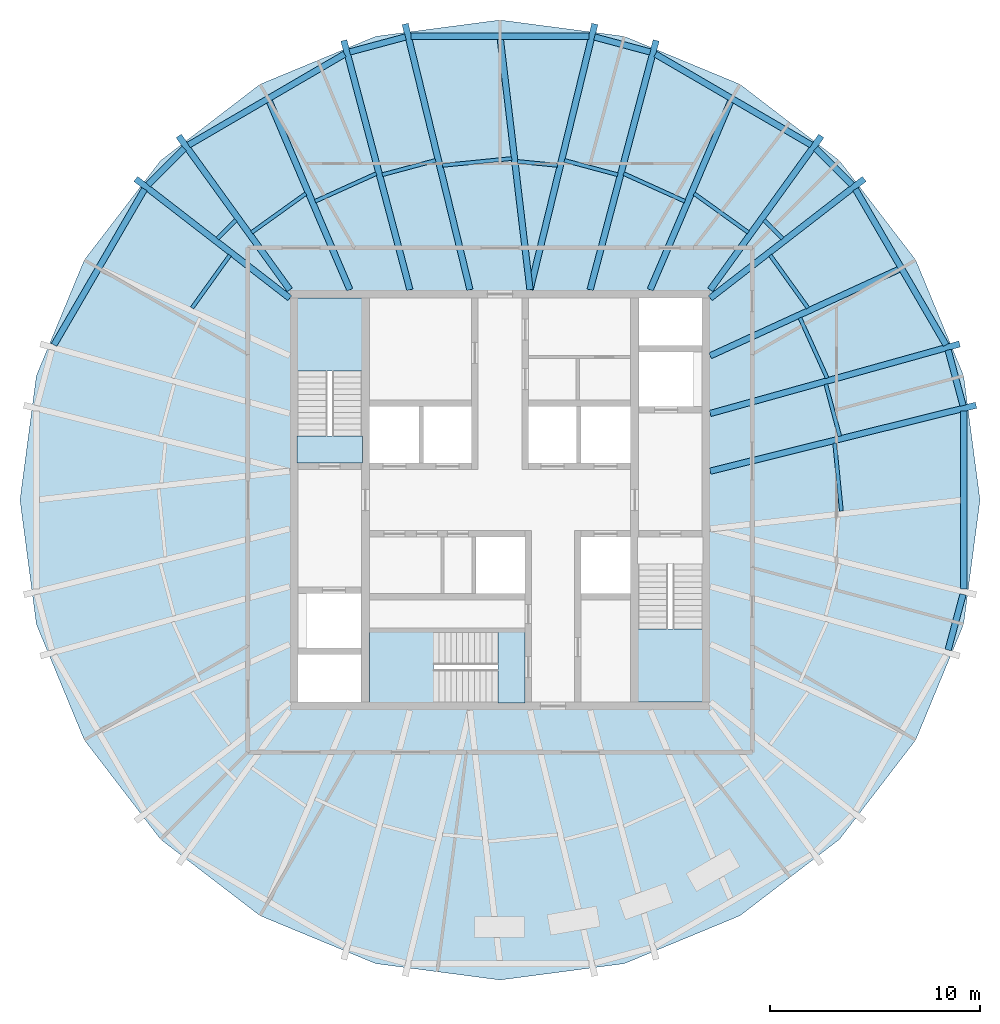
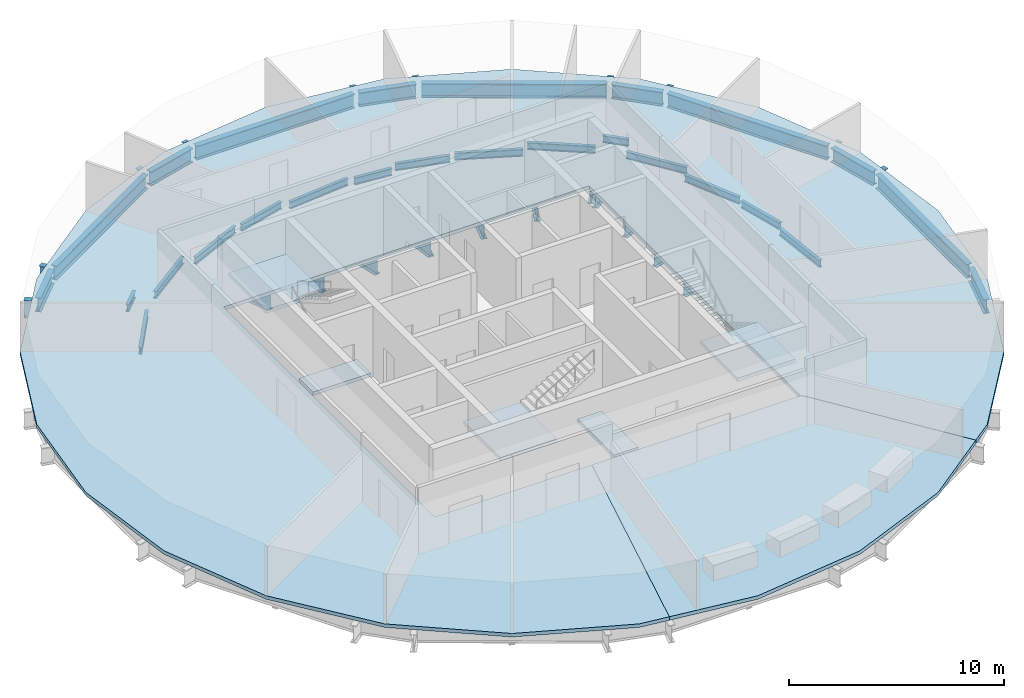
# One storey, part 2 of 7: 41 beams, 7 slabs, 3 elements without a shape of their own.
"""IFC4 building model written with IfcOpenShell, lengths in metres."""

import ifcopenshell
import ifcopenshell.guid

model = None  # the IFC model being written
_history = None  # IfcOwnerHistory: only IFC2X3 demands one
_inside = {}  # id of a spatial element -> (the spatial element, [elements in it])
_under = {}  # id of a project, library or spatial element -> (it, [spatial elements below it])
_declared = {}  # id of a project -> (the project, [libraries it declares])
_typed = {}  # id of a type object -> (the type object, [elements of that type])
_made_of = {}  # id of a material, layer set ... -> (it, [elements and type objects made of it])


def new_model(schema):
    """Start an empty IFC model of exactly this schema.

    Asked for "IFC4X3", IfcOpenShell would pick the latest addendum, in which some entities
    have other attributes; the version numbers below select the first issue.
    IFC2X3 requires an IfcOwnerHistory on every rooted entity: one is made here for all.
    """
    global model, _history
    if schema == "IFC4X3":
        model = ifcopenshell.file(schema_version=(4, 3, 0, 0))
    else:
        model = ifcopenshell.file(schema=schema)
    _inside.clear()
    _under.clear()
    _declared.clear()
    _typed.clear()
    _made_of.clear()
    _history = None
    if model.schema == "IFC2X3":
        org = make("IfcOrganization", Name="unknown")
        user = make(
            "IfcPersonAndOrganization",
            ThePerson=make("IfcPerson", FamilyName="unknown"),
            TheOrganization=org,
        )
        app = make(
            "IfcApplication",
            ApplicationDeveloper=org,
            Version="unknown",
            ApplicationFullName="unknown",
            ApplicationIdentifier="unknown",
        )
        _history = make(
            "IfcOwnerHistory",
            OwningUser=user,
            OwningApplication=app,
            ChangeAction="ADDED",
            CreationDate=0,
        )
    return model


def make(cls, **values):
    """One entity of the class cls with the attributes given. An attribute that is None is left unset."""
    return model.create_entity(
        cls, **{name: value for name, value in values.items() if value is not None}
    )


def rooted(cls, **values):
    """An entity with a GlobalId (a new one), such as an element, a storey or a relation."""
    return make(cls, GlobalId=ifcopenshell.guid.new(), OwnerHistory=_history, **values)


def si_unit(unit_type, name, prefix=None):
    """IfcSIUnit, for example si_unit("LENGTHUNIT", "METRE", prefix="MILLI")."""
    return make("IfcSIUnit", UnitType=unit_type, Prefix=prefix, Name=name)


def assignment(units):
    """IfcUnitAssignment: the units of a project."""
    return None if units is None else make("IfcUnitAssignment", Units=units)


def point(xyz):
    """IfcCartesianPoint."""
    return None if xyz is None else make("IfcCartesianPoint", Coordinates=xyz)


def direction(xyz):
    """IfcDirection."""
    return None if xyz is None else make("IfcDirection", DirectionRatios=xyz)


def frame(location, z_axis=None, x_axis=None):
    """IfcAxis2Placement3D, a coordinate frame: its origin and axes. An axis left out is left unset."""
    return make(
        "IfcAxis2Placement3D",
        Location=point(location),
        Axis=direction(z_axis),
        RefDirection=direction(x_axis),
    )


def frame_2d(location, x_axis=None):
    """IfcAxis2Placement2D, a coordinate frame in the plane: its origin and x axis."""
    return make(
        "IfcAxis2Placement2D", Location=point(location), RefDirection=direction(x_axis)
    )


def origin():
    """The frame at (0, 0, 0) with its axes left unset."""
    return frame((0.0, 0.0, 0.0))


def origin_2d():
    """The frame at (0, 0) in the plane with its x axis left unset."""
    return frame_2d((0.0, 0.0))


def place(relative_to, where):
    """IfcLocalPlacement: puts the frame where relative to a parent placement (None: the world)."""
    return make(
        "IfcLocalPlacement", PlacementRelTo=relative_to, RelativePlacement=where
    )


def context(
    kind, dimensions, precision=None, world=None, true_north=None, identifier=None
):
    """IfcGeometricRepresentationContext, for example the 3D "Model" context."""
    return make(
        "IfcGeometricRepresentationContext",
        ContextIdentifier=identifier,
        ContextType=kind,
        CoordinateSpaceDimension=dimensions,
        Precision=precision,
        WorldCoordinateSystem=world,
        TrueNorth=true_north,
    )


def subcontext(parent, identifier, kind, view, scale=None):
    """IfcGeometricRepresentationSubContext, for example "Body" below "Model"."""
    return make(
        "IfcGeometricRepresentationSubContext",
        ContextIdentifier=identifier,
        ContextType=kind,
        ParentContext=parent,
        TargetScale=scale,
        TargetView=view,
    )


def project(units=None, contexts=None):
    """IfcProject with its units and contexts."""
    return rooted(
        "IfcProject",
        Name="project",
        RepresentationContexts=contexts,
        UnitsInContext=assignment(units),
    )


def spatial(cls, under=None, at=None, **own):
    """A site, building, storey or space (cls), placed at a placement, below another one or the project."""
    s = rooted(cls, ObjectPlacement=at, **own)
    if under is not None:
        _under.setdefault(under.id(), (under, []))[1].append(s)
    return s


def polyline(points):
    """IfcPolyline through the points."""
    return make("IfcPolyline", Points=[point(p) for p in points])


def profile(cls, at=None, kind="AREA", **sizes):
    """A parametric profile (cls). Its sizes go by their IFC names, for example OverallWidth=200.0."""
    return make(cls, ProfileType=kind, Position=at, **sizes)


def i_section(**sizes):
    """IfcIShapeProfileDef."""
    return profile("IfcIShapeProfileDef", **sizes)


def outline(outer, holes=None, kind="AREA"):
    """IfcArbitraryClosedProfileDef: a profile drawn as a closed curve; with holes, ...WithVoids."""
    if holes is None:
        return make("IfcArbitraryClosedProfileDef", ProfileType=kind, OuterCurve=outer)
    return make(
        "IfcArbitraryProfileDefWithVoids",
        ProfileType=kind,
        OuterCurve=outer,
        InnerCurves=holes,
    )


def extrude(swept, where, along, depth):
    """IfcExtrudedAreaSolid: the profile swept, set in the frame where, extruded along a direction by depth."""
    return make(
        "IfcExtrudedAreaSolid",
        SweptArea=swept,
        Position=where,
        ExtrudedDirection=direction(along),
        Depth=depth,
    )


def shape(context_of_items, identifier, shape_type, items):
    """IfcShapeRepresentation: the items that make up one representation, for example the "Body"."""
    return make(
        "IfcShapeRepresentation",
        ContextOfItems=context_of_items,
        RepresentationIdentifier=identifier,
        RepresentationType=shape_type,
        Items=items,
    )


def material(Name=None, Category=None):
    """IfcMaterial."""
    return make("IfcMaterial", Name=Name, Category=Category)


def layer(
    of_material, thickness, ventilated=None, Name=None, Category=None, Priority=None
):
    """IfcMaterialLayer: one layer of a wall or slab, of a material (None: an air gap)."""
    return make(
        "IfcMaterialLayer",
        Material=of_material,
        LayerThickness=thickness,
        IsVentilated=ventilated,
        Name=Name,
        Category=Category,
        Priority=Priority,
    )


def layer_set(layers, Name=None):
    """IfcMaterialLayerSet."""
    return make("IfcMaterialLayerSet", MaterialLayers=layers, LayerSetName=Name)


def material_profile(
    of_material, cross_section, Name=None, Category=None, Priority=None
):
    """IfcMaterialProfile: a cross section and its material."""
    return make(
        "IfcMaterialProfile",
        Name=Name,
        Material=of_material,
        Profile=cross_section,
        Priority=Priority,
        Category=Category,
    )


def profile_set(profiles, Name=None, composite=None):
    """IfcMaterialProfileSet."""
    return make(
        "IfcMaterialProfileSet",
        Name=Name,
        MaterialProfiles=profiles,
        CompositeProfile=composite,
    )


def made_of(thing, what):
    """Note that an element or type object is made of a material, layer set ...; save() writes the relation."""
    if what is not None:
        _made_of.setdefault(what.id(), (what, []))[1].append(thing)
    return thing


def type_object(cls, material=None, **own):
    """A type object (cls), such as IfcWallType, which elements share."""
    return made_of(rooted(cls, **own), material)


def element(
    cls,
    number,
    at=None,
    inside=None,
    cuts=None,
    type_object=None,
    material=None,
    context=None,
    identifier="Body",
    shape_type=None,
    held_by="IfcProductDefinitionShape",
    body=None,
    shapes=None,
    **own,
):
    """One element of the class cls, such as IfcWall. Its Tag is "e" and its number.

    at: its placement. inside: the storey or other place that contains it. cuts: it is an
    opening in that element (IfcRelVoidsElement). A single representation is given by context,
    identifier, shape_type and body (its items); several are given by shapes. held_by: the class
    of the entity that holds the representations. save() writes the other relations.
    """
    e = rooted(cls, Tag="e%d" % number, ObjectPlacement=at, **own)
    if body is not None:
        shapes = [shape(context, identifier, shape_type, body)]
    if shapes is not None:
        e.Representation = make(held_by, Representations=shapes)
    if inside is not None:
        _inside.setdefault(inside.id(), (inside, []))[1].append(e)
    if cuts is not None:
        rooted(
            "IfcRelVoidsElement", RelatingBuildingElement=cuts, RelatedOpeningElement=e
        )
    if type_object is not None:
        _typed.setdefault(type_object.id(), (type_object, []))[1].append(e)
    return made_of(e, material)


def aggregate(whole, parts):
    """IfcRelAggregates: a whole, such as a stair, and the parts it consists of."""
    return rooted("IfcRelAggregates", RelatingObject=whole, RelatedObjects=parts)


def save(model, path):
    """Write the relations noted so far, then the file.

    IfcRelAggregates (storeys below a building ...), IfcRelContainedInSpatialStructure (elements
    in a storey), IfcRelDefinesByType, IfcRelAssociatesMaterial and IfcRelDeclares: one each for
    every whole, place, type object, material and project.
    """
    for whole, parts in _under.values():
        aggregate(whole, parts)
    for where, things in _inside.values():
        rooted(
            "IfcRelContainedInSpatialStructure",
            RelatedElements=things,
            RelatingStructure=where,
        )
    for kind, things in _typed.values():
        rooted("IfcRelDefinesByType", RelatedObjects=things, RelatingType=kind)
    for what, things in _made_of.values():
        rooted("IfcRelAssociatesMaterial", RelatedObjects=things, RelatingMaterial=what)
    for by, libraries in _declared.values():
        rooted("IfcRelDeclares", RelatingContext=by, RelatedDefinitions=libraries)
    model.write(path)


model = new_model("IFC4")

# Units and contexts
model_context = context("Model", 3, precision=1e-05, world=origin(), true_north=direction((0.0, 1.0)))
body_context = subcontext(model_context, "Body", "Model", "MODEL_VIEW")
ifc_project = project(units=[si_unit("LENGTHUNIT", "METRE"), si_unit("AREAUNIT", "SQUARE_METRE"), si_unit("VOLUMEUNIT", "CUBIC_METRE"), si_unit("PLANEANGLEUNIT", "RADIAN"), si_unit("MASSUNIT", "GRAM", prefix="KILO")], contexts=[model_context])

# Site, building, storey
site_placement = place(None, origin())
site = spatial("IfcSite", under=ifc_project, at=site_placement, CompositionType="ELEMENT")
building_placement = place(site_placement, origin())
building = spatial("IfcBuilding", under=site, at=building_placement, Name="Golbaran Civic Tower", CompositionType="ELEMENT")
storey_placement = place(building_placement, frame((0.0, 0.0, 236.0)))
storey = spatial("IfcBuildingStorey", under=building, at=storey_placement, Name="L57", CompositionType="ELEMENT", Elevation=236.0)

# Beams
ifc_material_1 = material(Name="Steel S355", Category="steel")
ifc_material_profile_1 = material_profile(ifc_material_1, i_section(OverallWidth=0.300048828125, OverallDepth=0.800048828125, WebThickness=0.017578125, FlangeThickness=0.032958984375, FilletRadius=0.030029296875, at=origin_2d()), Name="HEB 800")
ifc_profile_set_1 = profile_set([ifc_material_profile_1], Name="Steel S355")
beam_type_1 = type_object("IfcBeamType", Name="EDGE BEAM HEB 800", PredefinedType="BEAM", material=ifc_profile_set_1)
beam_1_placement = place(storey_placement, frame((22.02587890625, 4.48876953125, -0.60009765625), z_axis=(-0.259004863531, 0.965876017234, 0.0), x_axis=(-0.965876017234, -0.259004863531, 0.0)))
element("IfcBeam", 1, at=beam_1_placement, inside=storey, type_object=beam_type_1, Name="Edge beam 11.32 L57", PredefinedType="BEAM", context=body_context, shape_type="SweptSolid", body=[
    extrude(i_section(OverallWidth=0.300048828125, OverallDepth=0.800048828125, WebThickness=0.017578125, FlangeThickness=0.032958984375, FilletRadius=0.030029296875, at=origin_2d()), origin(), (0.0, 0.0, 1.0), 2.7392578125),
])
beam_2_placement = place(storey_placement, frame((21.21533203125, 7.376220703125, -0.60009765625), z_axis=(-0.502501116031, 0.864576560165, 0.0), x_axis=(-0.864576560165, -0.502501116031, 0.0)))
element("IfcBeam", 2, at=beam_2_placement, inside=storey, type_object=beam_type_1, Name="Edge beam 18.68 L57", PredefinedType="BEAM", context=body_context, shape_type="SweptSolid", body=[
    extrude(i_section(OverallWidth=0.300048828125, OverallDepth=0.800048828125, WebThickness=0.017578125, FlangeThickness=0.032958984375, FilletRadius=0.030029296875, at=origin_2d()), origin(), (0.0, 0.0, 1.0), 8.5693359375),
])
beam_3_placement = place(storey_placement, frame((16.750732421875, 14.9912109375, -0.60009765625), z_axis=(-0.706508805371, 0.707704251742, 0.0), x_axis=(-0.707704251742, -0.706508805371, 0.0)))
element("IfcBeam", 3, at=beam_3_placement, inside=storey, type_object=beam_type_1, Name="Edge beam 41.32 L57", PredefinedType="BEAM", context=body_context, shape_type="SweptSolid", body=[
    extrude(i_section(OverallWidth=0.300048828125, OverallDepth=0.800048828125, WebThickness=0.017578125, FlangeThickness=0.032958984375, FilletRadius=0.030029296875, at=origin_2d()), origin(), (0.0, 0.0, 1.0), 2.45068359375),
])
beam_4_placement = place(storey_placement, frame((14.813232421875, 16.884521484375, -0.60009765625), z_axis=(-0.86400452686, 0.503484039037, 0.0), x_axis=(-0.503484039037, -0.86400452686, 0.0)))
element("IfcBeam", 4, at=beam_4_placement, inside=storey, type_object=beam_type_1, Name="Edge beam 48.68 L57", PredefinedType="BEAM", context=body_context, shape_type="SweptSolid", body=[
    extrude(i_section(OverallWidth=0.300048828125, OverallDepth=0.800048828125, WebThickness=0.017578125, FlangeThickness=0.032958984375, FilletRadius=0.030029296875, at=origin_2d()), origin(), (0.0, 0.0, 1.0), 8.591552734375),
])
beam_5_placement = place(storey_placement, frame((7.148193359375, 21.311767578125, -0.60009765625), z_axis=(-0.965769072115, 0.259403352611, 0.0), x_axis=(-0.259403352611, -0.965769072115, 0.0)))
element("IfcBeam", 5, at=beam_5_placement, inside=storey, type_object=beam_type_1, Name="Edge beam 71.32 L57", PredefinedType="BEAM", context=body_context, shape_type="SweptSolid", body=[
    extrude(i_section(OverallWidth=0.300048828125, OverallDepth=0.800048828125, WebThickness=0.017578125, FlangeThickness=0.032958984375, FilletRadius=0.030029296875, at=origin_2d()), origin(), (0.0, 0.0, 1.0), 2.7490234375),
])
beam_6_placement = place(storey_placement, frame((4.23388671875, 22.058837890625, -0.60009765625), z_axis=(-1.0, 0.0, 0.0), x_axis=(0.0, -1.0, 0.0)))
element("IfcBeam", 6, at=beam_6_placement, inside=storey, type_object=beam_type_1, Name="Edge beam 78.68 L57", PredefinedType="BEAM", context=body_context, shape_type="SweptSolid", body=[
    extrude(i_section(OverallWidth=0.300048828125, OverallDepth=0.800048828125, WebThickness=0.017578125, FlangeThickness=0.032958984375, FilletRadius=0.030029296875, at=origin_2d()), origin(), (0.0, 0.0, 1.0), 8.4677734375),
])
beam_7_placement = place(storey_placement, frame((-4.4931640625, 22.02490234375, -0.60009765625), z_axis=(-0.965769072115, -0.259403352611, 0.0), x_axis=(0.259403352611, -0.965769072115, 0.0)))
element("IfcBeam", 7, at=beam_7_placement, inside=storey, type_object=beam_type_1, Name="Edge beam 101.32 L57", PredefinedType="BEAM", context=body_context, shape_type="SweptSolid", body=[
    extrude(i_section(OverallWidth=0.300048828125, OverallDepth=0.800048828125, WebThickness=0.017578125, FlangeThickness=0.032958984375, FilletRadius=0.030029296875, at=origin_2d()), origin(), (0.0, 0.0, 1.0), 2.7490234375),
])
beam_8_placement = place(storey_placement, frame((-7.39013671875, 21.210205078125, -0.60009765625), z_axis=(-0.86400452686, -0.503484039037, 0.0), x_axis=(0.503484039037, -0.86400452686, 0.0)))
element("IfcBeam", 8, at=beam_8_placement, inside=storey, type_object=beam_type_1, Name="Edge beam 108.68 L57", PredefinedType="BEAM", context=body_context, shape_type="SweptSolid", body=[
    extrude(i_section(OverallWidth=0.300048828125, OverallDepth=0.800048828125, WebThickness=0.017578125, FlangeThickness=0.032958984375, FilletRadius=0.030029296875, at=origin_2d()), origin(), (0.0, 0.0, 1.0), 8.591552734375),
])
beam_9_placement = place(storey_placement, frame((-15.019287109375, 16.7255859375, -0.60009765625), z_axis=(-0.706508805371, -0.707704251742, 0.0), x_axis=(0.707704251742, -0.706508805371, 0.0)))
element("IfcBeam", 9, at=beam_9_placement, inside=storey, type_object=beam_type_1, Name="Edge beam 131.32 L57", PredefinedType="BEAM", context=body_context, shape_type="SweptSolid", body=[
    extrude(i_section(OverallWidth=0.300048828125, OverallDepth=0.800048828125, WebThickness=0.017578125, FlangeThickness=0.032958984375, FilletRadius=0.030029296875, at=origin_2d()), origin(), (0.0, 0.0, 1.0), 2.45068359375),
])
beam_10_placement = place(storey_placement, frame((-16.9091796875, 14.78515625, -0.60009765625), z_axis=(-0.502501116031, -0.864576560165, 0.0), x_axis=(0.864576560165, -0.502501116031, 0.0)))
element("IfcBeam", 10, at=beam_10_placement, inside=storey, type_object=beam_type_1, Name="Edge beam 138.68 L57", PredefinedType="BEAM", context=body_context, shape_type="SweptSolid", body=[
    extrude(i_section(OverallWidth=0.300048828125, OverallDepth=0.800048828125, WebThickness=0.017578125, FlangeThickness=0.032958984375, FilletRadius=0.030029296875, at=origin_2d()), origin(), (0.0, 0.0, 1.0), 8.5693359375),
])
beam_11_placement = place(storey_placement, frame((21.31640625, -7.134521484375, -0.60009765625), z_axis=(0.259004863531, 0.965876017234, 0.0), x_axis=(-0.965876017234, 0.259004863531, 0.0)))
element("IfcBeam", 11, at=beam_11_placement, inside=storey, type_object=beam_type_1, Name="Edge beam 341.32 L57", PredefinedType="BEAM", context=body_context, shape_type="SweptSolid", body=[
    extrude(i_section(OverallWidth=0.300048828125, OverallDepth=0.800048828125, WebThickness=0.017578125, FlangeThickness=0.032958984375, FilletRadius=0.030029296875, at=origin_2d()), origin(), (0.0, 0.0, 1.0), 2.7392578125),
])
beam_12_placement = place(storey_placement, frame((22.0595703125, -4.229248046875, -0.60009765625), z_axis=(0.0, 1.0, 0.0), x_axis=(-1.0, 0.0, 0.0)))
element("IfcBeam", 12, at=beam_12_placement, inside=storey, type_object=beam_type_1, Name="Edge beam 348.68 L57", PredefinedType="BEAM", context=body_context, shape_type="SweptSolid", body=[
    extrude(i_section(OverallWidth=0.300048828125, OverallDepth=0.800048828125, WebThickness=0.017578125, FlangeThickness=0.032958984375, FilletRadius=0.030029296875, at=origin_2d()), origin(), (0.0, 0.0, 1.0), 8.45849609375),
])
ifc_material_profile_2 = material_profile(ifc_material_1, i_section(OverallWidth=0.179931640625, OverallDepth=0.39990234375, WebThickness=0.008544921875, FlangeThickness=0.013427734375, FilletRadius=0.02099609375, at=origin_2d()), Name="IPE 400")
ifc_profile_set_2 = profile_set([ifc_material_profile_2], Name="Steel S355")
beam_type_2 = type_object("IfcBeamType", Name="FLOOR INFILL BEAM IPE 400", PredefinedType="BEAM", material=ifc_profile_set_2)
beam_13_placement = place(storey_placement, frame((16.23974609375, -0.531005859375, -0.39990234375), z_axis=(-0.098552431126, 0.995131859765, 0.0), x_axis=(-0.995131859765, -0.098552431126, 0.0)))
element("IfcBeam", 13, at=beam_13_placement, inside=storey, type_object=beam_type_2, Name="Infill beam 5.66 L57", PredefinedType="BEAM", context=body_context, shape_type="SweptSolid", body=[
    extrude(i_section(OverallWidth=0.179931640625, OverallDepth=0.39990234375, WebThickness=0.008544921875, FlangeThickness=0.013427734375, FilletRadius=0.02099609375, at=origin_2d()), origin(), (0.0, 0.0, 1.0), 3.252685546875),
])
beam_14_placement = place(storey_placement, frame((16.160400390625, 3.03369140625, -0.39990234375), z_axis=(-0.258847075576, 0.96591831511, 0.0), x_axis=(-0.96591831511, -0.258847075576, 0.0)))
element("IfcBeam", 14, at=beam_14_placement, inside=storey, type_object=beam_type_2, Name="Infill beam 15.00 L57", PredefinedType="BEAM", context=body_context, shape_type="SweptSolid", body=[
    extrude(i_section(OverallWidth=0.179931640625, OverallDepth=0.39990234375, WebThickness=0.008544921875, FlangeThickness=0.013427734375, FilletRadius=0.02099609375, at=origin_2d()), origin(), (0.0, 0.0, 1.0), 2.5654296875),
])
beam_15_placement = place(storey_placement, frame((15.562255859375, 5.800048828125, -0.39990234375), z_axis=(-0.412195460371, 0.911095440911, 0.0), x_axis=(-0.911095440911, -0.412195460371, 0.0)))
element("IfcBeam", 15, at=beam_15_placement, inside=storey, type_object=beam_type_2, Name="Infill beam 24.34 L57", PredefinedType="BEAM", context=body_context, shape_type="SweptSolid", body=[
    extrude(i_section(OverallWidth=0.179931640625, OverallDepth=0.39990234375, WebThickness=0.008544921875, FlangeThickness=0.013427734375, FilletRadius=0.02099609375, at=origin_2d()), origin(), (0.0, 0.0, 1.0), 3.14794921875),
])
beam_16_placement = place(storey_placement, frame((14.65283203125, 9.132080078125, -0.39990234375), z_axis=(-0.582940756708, 0.812514660895, 0.0), x_axis=(-0.812514660895, -0.582940756708, 0.0)))
element("IfcBeam", 16, at=beam_16_placement, inside=storey, type_object=beam_type_2, Name="Infill beam 35.66 L57", PredefinedType="BEAM", context=body_context, shape_type="SweptSolid", body=[
    extrude(i_section(OverallWidth=0.179931640625, OverallDepth=0.39990234375, WebThickness=0.008544921875, FlangeThickness=0.013427734375, FilletRadius=0.02099609375, at=origin_2d()), origin(), (0.0, 0.0, 1.0), 3.09033203125),
])
beam_17_placement = place(storey_placement, frame((13.442138671875, 12.429443359375, -0.39990234375), z_axis=(-0.707009390267, 0.707204158694, 0.0), x_axis=(-0.707204158694, -0.707009390267, 0.0)))
element("IfcBeam", 17, at=beam_17_placement, inside=storey, type_object=beam_type_2, Name="Infill beam 45.00 L57", PredefinedType="BEAM", context=body_context, shape_type="SweptSolid", body=[
    extrude(i_section(OverallWidth=0.179931640625, OverallDepth=0.39990234375, WebThickness=0.008544921875, FlangeThickness=0.013427734375, FilletRadius=0.02099609375, at=origin_2d()), origin(), (0.0, 0.0, 1.0), 1.25341796875),
])
beam_18_placement = place(storey_placement, frame((11.810546875, 12.728271484375, -0.39990234375), z_axis=(-0.812518412295, 0.582935527895, 0.0), x_axis=(-0.582935527895, -0.812518412295, 0.0)))
element("IfcBeam", 18, at=beam_18_placement, inside=storey, type_object=beam_type_2, Name="Infill beam 54.34 L57", PredefinedType="BEAM", context=body_context, shape_type="SweptSolid", body=[
    extrude(i_section(OverallWidth=0.179931640625, OverallDepth=0.39990234375, WebThickness=0.008544921875, FlangeThickness=0.013427734375, FilletRadius=0.02099609375, at=origin_2d()), origin(), (0.0, 0.0, 1.0), 3.16796875),
])
beam_19_placement = place(storey_placement, frame((8.796875, 14.206787109375, -0.39990234375), z_axis=(-0.911131134925, 0.412116555078, 0.0), x_axis=(-0.412116555078, -0.911131134925, 0.0)))
element("IfcBeam", 19, at=beam_19_placement, inside=storey, type_object=beam_type_2, Name="Infill beam 65.66 L57", PredefinedType="BEAM", context=body_context, shape_type="SweptSolid", body=[
    extrude(i_section(OverallWidth=0.179931640625, OverallDepth=0.39990234375, WebThickness=0.008544921875, FlangeThickness=0.013427734375, FilletRadius=0.02099609375, at=origin_2d()), origin(), (0.0, 0.0, 1.0), 3.197265625),
])
beam_20_placement = place(storey_placement, frame((5.60107421875, 15.47216796875, -0.39990234375), z_axis=(-0.965918200718, 0.258847502443, 0.0), x_axis=(-0.258847502443, -0.965918200718, 0.0)))
element("IfcBeam", 20, at=beam_20_placement, inside=storey, type_object=beam_type_2, Name="Infill beam 75.00 L57", PredefinedType="BEAM", context=body_context, shape_type="SweptSolid", body=[
    extrude(i_section(OverallWidth=0.179931640625, OverallDepth=0.39990234375, WebThickness=0.008544921875, FlangeThickness=0.013427734375, FilletRadius=0.02099609375, at=origin_2d()), origin(), (0.0, 0.0, 1.0), 2.628662109375),
])
beam_21_placement = place(storey_placement, frame((2.736572265625, 15.91552734375, -0.39990234375), z_axis=(-0.99512917425, 0.098579544308, 0.0), x_axis=(-0.098579544308, -0.99512917425, 0.0)))
element("IfcBeam", 21, at=beam_21_placement, inside=storey, type_object=beam_type_2, Name="Infill beam 84.34 L57", PredefinedType="BEAM", context=body_context, shape_type="SweptSolid", body=[
    extrude(i_section(OverallWidth=0.179931640625, OverallDepth=0.39990234375, WebThickness=0.008544921875, FlangeThickness=0.013427734375, FilletRadius=0.02099609375, at=origin_2d()), origin(), (0.0, 0.0, 1.0), 1.909423828125),
])
beam_22_placement = place(storey_placement, frame((0.55810546875, 16.241943359375, -0.39990234375), z_axis=(-0.99512803468, -0.09859104723, 0.0), x_axis=(0.09859104723, -0.99512803468, 0.0)))
element("IfcBeam", 22, at=beam_22_placement, inside=storey, type_object=beam_type_2, Name="Infill beam 95.66 L57", PredefinedType="BEAM", context=body_context, shape_type="SweptSolid", body=[
    extrude(i_section(OverallWidth=0.179931640625, OverallDepth=0.39990234375, WebThickness=0.008544921875, FlangeThickness=0.013427734375, FilletRadius=0.02099609375, at=origin_2d()), origin(), (0.0, 0.0, 1.0), 3.310791015625),
])
beam_23_placement = place(storey_placement, frame((-3.06201171875, 16.152587890625, -0.39990234375), z_axis=(-0.965918200718, -0.258847502443, 0.0), x_axis=(0.258847502443, -0.965918200718, 0.0)))
element("IfcBeam", 23, at=beam_23_placement, inside=storey, type_object=beam_type_2, Name="Infill beam 105.00 L57", PredefinedType="BEAM", context=body_context, shape_type="SweptSolid", body=[
    extrude(i_section(OverallWidth=0.179931640625, OverallDepth=0.39990234375, WebThickness=0.008544921875, FlangeThickness=0.013427734375, FilletRadius=0.02099609375, at=origin_2d()), origin(), (0.0, 0.0, 1.0), 2.628662109375),
])
beam_24_placement = place(storey_placement, frame((-5.8837890625, 15.5244140625, -0.39990234375), z_axis=(-0.911131134925, -0.412116555078, 0.0), x_axis=(0.412116555078, -0.911131134925, 0.0)))
element("IfcBeam", 24, at=beam_24_placement, inside=storey, type_object=beam_type_2, Name="Infill beam 114.34 L57", PredefinedType="BEAM", context=body_context, shape_type="SweptSolid", body=[
    extrude(i_section(OverallWidth=0.179931640625, OverallDepth=0.39990234375, WebThickness=0.008544921875, FlangeThickness=0.013427734375, FilletRadius=0.02099609375, at=origin_2d()), origin(), (0.0, 0.0, 1.0), 3.197265625),
])
beam_25_placement = place(storey_placement, frame((-9.236572265625, 14.574951171875, -0.39990234375), z_axis=(-0.812518412295, -0.582935527895, 0.0), x_axis=(0.582935527895, -0.812518412295, 0.0)))
element("IfcBeam", 25, at=beam_25_placement, inside=storey, type_object=beam_type_2, Name="Infill beam 125.66 L57", PredefinedType="BEAM", context=body_context, shape_type="SweptSolid", body=[
    extrude(i_section(OverallWidth=0.179931640625, OverallDepth=0.39990234375, WebThickness=0.008544921875, FlangeThickness=0.013427734375, FilletRadius=0.02099609375, at=origin_2d()), origin(), (0.0, 0.0, 1.0), 3.16796875),
])
beam_26_placement = place(storey_placement, frame((-12.555908203125, 13.31591796875, -0.39990234375), z_axis=(-0.707009390267, -0.707204158694, 0.0), x_axis=(0.707204158694, -0.707009390267, 0.0)))
element("IfcBeam", 26, at=beam_26_placement, inside=storey, type_object=beam_type_2, Name="Infill beam 135.00 L57", PredefinedType="BEAM", context=body_context, shape_type="SweptSolid", body=[
    extrude(i_section(OverallWidth=0.179931640625, OverallDepth=0.39990234375, WebThickness=0.008544921875, FlangeThickness=0.013427734375, FilletRadius=0.02099609375, at=origin_2d()), origin(), (0.0, 0.0, 1.0), 1.25341796875),
])
beam_27_placement = place(storey_placement, frame((-12.851318359375, 11.64306640625, -0.39990234375), z_axis=(-0.582940756708, -0.812514660895, 0.0), x_axis=(0.812514660895, -0.582940756708, 0.0)))
element("IfcBeam", 27, at=beam_27_placement, inside=storey, type_object=beam_type_2, Name="Infill beam 144.34 L57", PredefinedType="BEAM", context=body_context, shape_type="SweptSolid", body=[
    extrude(i_section(OverallWidth=0.179931640625, OverallDepth=0.39990234375, WebThickness=0.008544921875, FlangeThickness=0.013427734375, FilletRadius=0.02099609375, at=origin_2d()), origin(), (0.0, 0.0, 1.0), 3.09033203125),
])
ifc_material_profile_3 = material_profile(ifc_material_1, i_section(OverallWidth=0.300048828125, OverallDepth=1.0, WebThickness=0.01904296875, FlangeThickness=0.035888671875, FilletRadius=0.030029296875, at=origin_2d()), Name="HEB 1000")
ifc_profile_set_3 = profile_set([ifc_material_profile_3], Name="Steel S355")
beam_type_3 = type_object("IfcBeamType", Name="RADIAL FLOOR BEAM HEB 1000", PredefinedType="BEAM", material=ifc_profile_set_3)
beam_28_placement = place(storey_placement, frame((10.0, 1.371337890625, -0.7099609375), z_axis=(0.970575285271, 0.240797872957, 0.0), x_axis=(-0.240797872957, 0.970575285271, 0.0)))
element("IfcBeam", 28, at=beam_28_placement, inside=storey, type_object=beam_type_3, Name="Radial beam 11.32 L57", PredefinedType="BEAM", context=body_context, shape_type="SweptSolid", body=[
    extrude(i_section(OverallWidth=0.300048828125, OverallDepth=1.0, WebThickness=0.01904296875, FlangeThickness=0.035888671875, FilletRadius=0.030029296875, at=origin_2d()), origin(), (0.0, 0.0, 1.0), 13.02734375),
])
beam_29_placement = place(storey_placement, frame((10.0, 4.1142578125, -0.7099609375), z_axis=(0.963260136117, 0.268570121511, 0.0), x_axis=(-0.268570121511, 0.963260136117, 0.0)))
element("IfcBeam", 29, at=beam_29_placement, inside=storey, type_object=beam_type_3, Name="Radial beam 18.68 L57", PredefinedType="BEAM", context=body_context, shape_type="SweptSolid", body=[
    extrude(i_section(OverallWidth=0.300048828125, OverallDepth=1.0, WebThickness=0.01904296875, FlangeThickness=0.035888671875, FilletRadius=0.030029296875, at=origin_2d()), origin(), (0.0, 0.0, 1.0), 12.314697265625),
])
beam_30_placement = place(storey_placement, frame((10.0, 9.60009765625, -0.7099609375), z_axis=(0.790713832323, 0.612185948363, 0.0), x_axis=(-0.612185948363, 0.790713832323, 0.0)))
element("IfcBeam", 30, at=beam_30_placement, inside=storey, type_object=beam_type_3, Name="Radial beam 41.32 L57", PredefinedType="BEAM", context=body_context, shape_type="SweptSolid", body=[
    extrude(i_section(OverallWidth=0.300048828125, OverallDepth=1.0, WebThickness=0.01904296875, FlangeThickness=0.035888671875, FilletRadius=0.030029296875, at=origin_2d()), origin(), (0.0, 0.0, 1.0), 9.264892578125),
])
beam_31_placement = place(storey_placement, frame((10.0, 10.0, -0.7099609375), z_axis=(0.585610040221, 0.810592919283, 0.0), x_axis=(-0.810592919283, 0.585610040221, 0.0)))
element("IfcBeam", 31, at=beam_31_placement, inside=storey, type_object=beam_type_3, Name="Radial beam 48.68 L57", PredefinedType="BEAM", context=body_context, shape_type="SweptSolid", body=[
    extrude(i_section(OverallWidth=0.300048828125, OverallDepth=1.0, WebThickness=0.01904296875, FlangeThickness=0.035888671875, FilletRadius=0.030029296875, at=origin_2d()), origin(), (0.0, 0.0, 1.0), 9.0263671875),
])
beam_32_placement = place(storey_placement, frame((4.28564453125, 10.0, -0.7099609375), z_axis=(0.256109150152, 0.966647869293, 0.0), x_axis=(-0.966647869293, 0.256109150152, 0.0)))
element("IfcBeam", 32, at=beam_32_placement, inside=storey, type_object=beam_type_3, Name="Radial beam 71.32 L57", PredefinedType="BEAM", context=body_context, shape_type="SweptSolid", body=[
    extrude(i_section(OverallWidth=0.300048828125, OverallDepth=1.0, WebThickness=0.01904296875, FlangeThickness=0.035888671875, FilletRadius=0.030029296875, at=origin_2d()), origin(), (0.0, 0.0, 1.0), 12.2685546875),
])
for number, where, z_axis, x_axis, name in (
    (33, (1.428466796875, 10.0, -0.7099609375), (0.236806319308, 0.971556877973, 0.0), (-0.971556877973, 0.236806319308, 0.0), "Radial beam 78.68 L57"),
    (34, (-1.428466796875, 10.0, -0.7099609375), (-0.236806319308, 0.971556877973, 0.0), (-0.971556877973, -0.236806319308, 0.0), "Radial beam 101.32 L57"),
):
    element("IfcBeam", number, at=place(storey_placement, frame(where, z_axis=z_axis, x_axis=x_axis)), inside=storey, type_object=beam_type_3, Name=name, PredefinedType="BEAM", context=body_context, shape_type="SweptSolid", body=[
        extrude(i_section(OverallWidth=0.300048828125, OverallDepth=1.0, WebThickness=0.01904296875, FlangeThickness=0.035888671875, FilletRadius=0.030029296875, at=origin_2d()), origin(), (0.0, 0.0, 1.0), 13.013916015625),
    ])
beam_33_placement = place(storey_placement, frame((-4.28564453125, 10.0, -0.7099609375), z_axis=(-0.256109150152, 0.966647869293, 0.0), x_axis=(-0.966647869293, -0.256109150152, 0.0)))
element("IfcBeam", 35, at=beam_33_placement, inside=storey, type_object=beam_type_3, Name="Radial beam 108.68 L57", PredefinedType="BEAM", context=body_context, shape_type="SweptSolid", body=[
    extrude(i_section(OverallWidth=0.300048828125, OverallDepth=1.0, WebThickness=0.01904296875, FlangeThickness=0.035888671875, FilletRadius=0.030029296875, at=origin_2d()), origin(), (0.0, 0.0, 1.0), 12.2685546875),
])
beam_34_placement = place(storey_placement, frame((-10.0, 10.0, -0.7099609375), z_axis=(-0.585610040221, 0.810592919283, 0.0), x_axis=(-0.810592919283, -0.585610040221, 0.0)))
element("IfcBeam", 36, at=beam_34_placement, inside=storey, type_object=beam_type_3, Name="Radial beam 131.32 L57", PredefinedType="BEAM", context=body_context, shape_type="SweptSolid", body=[
    extrude(i_section(OverallWidth=0.300048828125, OverallDepth=1.0, WebThickness=0.01904296875, FlangeThickness=0.035888671875, FilletRadius=0.030029296875, at=origin_2d()), origin(), (0.0, 0.0, 1.0), 9.0263671875),
])
beam_35_placement = place(storey_placement, frame((-10.0, 9.60009765625, -0.7099609375), z_axis=(-0.790713832323, 0.612185948363, 0.0), x_axis=(-0.612185948363, -0.790713832323, 0.0)))
element("IfcBeam", 37, at=beam_35_placement, inside=storey, type_object=beam_type_3, Name="Radial beam 138.68 L57", PredefinedType="BEAM", context=body_context, shape_type="SweptSolid", body=[
    extrude(i_section(OverallWidth=0.300048828125, OverallDepth=1.0, WebThickness=0.01904296875, FlangeThickness=0.035888671875, FilletRadius=0.030029296875, at=origin_2d()), origin(), (0.0, 0.0, 1.0), 9.264892578125),
])
ifc_material_profile_4 = material_profile(ifc_material_1, i_section(OverallWidth=0.300048828125, OverallDepth=1.0, WebThickness=0.01904296875, FlangeThickness=0.035888671875, FilletRadius=0.030029296875, at=origin_2d()), Name="HEB 1000")
ifc_profile_set_4 = profile_set([ifc_material_profile_4], Name="Steel S355")
beam_type_4 = type_object("IfcBeamType", Name="SECONDARY FLOOR BEAM HEB 1000", PredefinedType="BEAM", material=ifc_profile_set_4)
beam_36_placement = place(storey_placement, frame((10.0, 6.857177734375, -0.7099609375), z_axis=(0.909113729213, 0.416547989261, 0.0), x_axis=(-0.416547989261, 0.909113729213, 0.0)))
element("IfcBeam", 38, at=beam_36_placement, inside=storey, type_object=beam_type_4, Name="Secondary beam 30.00 L57", PredefinedType="BEAM", context=body_context, shape_type="SweptSolid", body=[
    extrude(i_section(OverallWidth=0.300048828125, OverallDepth=1.0, WebThickness=0.01904296875, FlangeThickness=0.035888671875, FilletRadius=0.030029296875, at=origin_2d()), origin(), (0.0, 0.0, 1.0), 10.004150390625),
])
beam_37_placement = place(storey_placement, frame((7.142822265625, 10.0, -0.7099609375), z_axis=(0.392518070499, 0.919744292905, 0.0), x_axis=(-0.919744292905, 0.392518070499, 0.0)))
element("IfcBeam", 39, at=beam_37_placement, inside=storey, type_object=beam_type_4, Name="Secondary beam 60.00 L57", PredefinedType="BEAM", context=body_context, shape_type="SweptSolid", body=[
    extrude(i_section(OverallWidth=0.300048828125, OverallDepth=1.0, WebThickness=0.01904296875, FlangeThickness=0.035888671875, FilletRadius=0.030029296875, at=origin_2d()), origin(), (0.0, 0.0, 1.0), 9.886474609375),
])
beam_38_placement = place(storey_placement, frame((1.428466796875, 10.0, -0.7099609375), z_axis=(-0.117635606302, 0.993056828248, 0.0), x_axis=(-0.993056828248, -0.117635606302, 0.0)))
element("IfcBeam", 40, at=beam_38_placement, inside=storey, type_object=beam_type_4, Name="Secondary beam 90.00 L57", PredefinedType="BEAM", context=body_context, shape_type="SweptSolid", body=[
    extrude(i_section(OverallWidth=0.300048828125, OverallDepth=1.0, WebThickness=0.01904296875, FlangeThickness=0.035888671875, FilletRadius=0.030029296875, at=origin_2d()), origin(), (0.0, 0.0, 1.0), 12.14306640625),
])
beam_39_placement = place(storey_placement, frame((-7.142822265625, 10.0, -0.7099609375), z_axis=(-0.392518070499, 0.919744292905, 0.0), x_axis=(-0.919744292905, -0.392518070499, 0.0)))
element("IfcBeam", 41, at=beam_39_placement, inside=storey, type_object=beam_type_4, Name="Secondary beam 120.00 L57", PredefinedType="BEAM", context=body_context, shape_type="SweptSolid", body=[
    extrude(i_section(OverallWidth=0.300048828125, OverallDepth=1.0, WebThickness=0.01904296875, FlangeThickness=0.035888671875, FilletRadius=0.030029296875, at=origin_2d()), origin(), (0.0, 0.0, 1.0), 9.886474609375),
])

# Slabs
ifc_material_2 = material(Name="Concrete LC30/33 lightweight on steel deck", Category="concrete")
ifc_layer_1 = layer(ifc_material_2, 0.199951171875, Name="Concrete LC30/33 lightweight on steel deck")
ifc_layer_set_1 = layer_set([ifc_layer_1], Name="Concrete LC30/33 lightweight on steel deck")
slab_type_1 = type_object("IfcSlabType", Name="COMPOSITE FLOOR SLAB 200", PredefinedType="FLOOR", material=ifc_layer_set_1)
slab_1_placement = place(storey_placement, frame((0.0, 0.0, -0.199951171875)))
element("IfcSlab", 42, at=slab_1_placement, inside=storey, type_object=slab_type_1, Name="Sky garden deck L57", PredefinedType="FLOOR", context=body_context, shape_type="SweptSolid", body=[
    extrude(outline(polyline([(5.909423828125, -22.05419921875), (0.0, -22.832275390625), (-4.41455078125, -22.251220703125), (-1.428466796875, -10.0), (-1.39990234375, -9.800048828125), (9.800048828125, -9.800048828125), (10.0, -10.0), (15.047607421875, -16.98681640625), (11.416259765625, -19.7734375), (5.909423828125, -22.05419921875)])), origin(), (0.0, 0.0, 1.0), 0.199951171875),
])
slab_2_placement = place(storey_placement, frame((0.0, 0.0, -0.199951171875)))
element("IfcSlab", 43, at=slab_2_placement, inside=storey, type_object=slab_type_1, Name="Floor slab L57", PredefinedType="FLOOR", context=body_context, shape_type="SweptSolid", body=[
    extrude(outline(polyline([(16.144775390625, -16.144775390625), (15.047607421875, -16.98681640625), (10.0, -10.0), (9.800048828125, -9.800048828125), (9.800048828125, 9.800048828125), (-9.800048828125, 9.800048828125), (-9.800048828125, -9.800048828125), (-1.39990234375, -9.800048828125), (-1.428466796875, -10.0), (-4.41455078125, -22.251220703125), (-5.909423828125, -22.05419921875), (-11.416259765625, -19.7734375), (-16.144775390625, -16.144775390625), (-19.7734375, -11.416259765625), (-22.05419921875, -5.909423828125), (-22.832275390625, 0.0), (-22.05419921875, 5.909423828125), (-19.7734375, 11.416259765625), (-16.144775390625, 16.144775390625), (-11.416259765625, 19.7734375), (-5.909423828125, 22.05419921875), (0.0, 22.832275390625), (5.909423828125, 22.05419921875), (11.416259765625, 19.7734375), (16.144775390625, 16.144775390625), (19.7734375, 11.416259765625), (22.05419921875, 5.909423828125), (22.832275390625, 0.0), (22.05419921875, -5.909423828125), (19.7734375, -11.416259765625), (16.144775390625, -16.144775390625)])), origin(), (0.0, 0.0, 1.0), 0.199951171875),
])

# Stair, slab
ifc_material_3 = material(Name="Concrete C35/45", Category="concrete")
stair_type_1 = type_object("IfcStairType", Name="EXIT STAIR 3000 x 7850, 4000 RISE", PredefinedType="HALF_TURN_STAIR", material=ifc_material_3)
stair_1_placement = place(storey_placement, origin())
stair_1 = element("IfcStair", 44, at=stair_1_placement, inside=storey, type_object=stair_type_1, Name="Stair S1 L57", PredefinedType="HALF_TURN_STAIR")
ifc_layer_2 = layer(ifc_material_3, 0.199951171875, Name="Concrete C35/45")
ifc_layer_set_2 = layer_set([ifc_layer_2], Name="Concrete C35/45")
slab_type_2 = type_object("IfcSlabType", Name="STAIR LANDING 200", PredefinedType="LANDING", material=ifc_layer_set_2)
slab_3_placement = place(storey_placement, frame((0.0, 0.0, 1.800048828125)))
slab_3 = element("IfcSlab", 45, at=slab_3_placement, type_object=slab_type_2, Name="ST30078-40 landing 1", PredefinedType="LANDING", context=body_context, shape_type="SweptSolid", body=[
    extrude(outline(polyline([(-9.64990234375, 6.125), (-9.64990234375, 9.60009765625), (-6.550048828125, 9.60009765625), (-6.550048828125, 6.125), (-9.64990234375, 6.125)])), origin(), (0.0, 0.0, 1.0), 0.199951171875),
])
aggregate(stair_1, [slab_3])

# Slab
slab_4_placement = place(storey_placement, frame((0.0, 0.0, -0.199951171875)))
element("IfcSlab", 46, at=slab_4_placement, inside=storey, type_object=slab_type_2, Name="Stair S1 floor landing L57", PredefinedType="LANDING", context=body_context, shape_type="SweptSolid", body=[
    extrude(outline(polyline([(-9.64990234375, 1.75), (-9.64990234375, 3.054931640625), (-6.550048828125, 3.054931640625), (-6.550048828125, 1.75), (-9.64990234375, 1.75)])), origin(), (0.0, 0.0, 1.0), 0.199951171875),
])

# Stair, slab
stair_2_placement = place(storey_placement, origin())
stair_2 = element("IfcStair", 47, at=stair_2_placement, inside=storey, type_object=stair_type_1, Name="Stair S2 L57", PredefinedType="HALF_TURN_STAIR")
slab_5_placement = place(storey_placement, frame((0.0, 0.0, 1.800048828125)))
slab_5 = element("IfcSlab", 48, at=slab_5_placement, type_object=slab_type_2, Name="ST30078-40 landing 1", PredefinedType="LANDING", context=body_context, shape_type="SweptSolid", body=[
    extrude(outline(polyline([(9.64990234375, -6.125), (9.64990234375, -9.60009765625), (6.550048828125, -9.60009765625), (6.550048828125, -6.125), (9.64990234375, -6.125)])), origin(), (0.0, 0.0, 1.0), 0.199951171875),
])
aggregate(stair_2, [slab_5])

stair_type_2 = type_object("IfcStairType", Name="EXIT STAIR 3300 x 7400, 4000 RISE", PredefinedType="HALF_TURN_STAIR", material=ifc_material_3)
stair_3_placement = place(storey_placement, origin())
stair_3 = element("IfcStair", 49, at=stair_3_placement, inside=storey, type_object=stair_type_2, Name="Stair S3 L57", PredefinedType="HALF_TURN_STAIR")
slab_6_placement = place(storey_placement, frame((0.0, 0.0, 1.800048828125)))
slab_6 = element("IfcSlab", 50, at=slab_6_placement, type_object=slab_type_2, Name="ST33074-40 landing 1", PredefinedType="LANDING", context=body_context, shape_type="SweptSolid", body=[
    extrude(outline(polyline([(-3.175048828125, -9.64990234375), (-6.199951171875, -9.64990234375), (-6.199951171875, -6.25), (-3.175048828125, -6.25), (-3.175048828125, -9.64990234375)])), origin(), (0.0, 0.0, 1.0), 0.199951171875),
])
aggregate(stair_3, [slab_6])

# Slab
slab_7_placement = place(storey_placement, frame((0.0, 0.0, -0.199951171875)))
element("IfcSlab", 51, at=slab_7_placement, inside=storey, type_object=slab_type_2, Name="Stair S3 floor landing L57", PredefinedType="LANDING", context=body_context, shape_type="SweptSolid", body=[
    extrude(outline(polyline([(1.199951171875, -9.64990234375), (-0.10498046875, -9.64990234375), (-0.10498046875, -6.25), (1.199951171875, -6.25), (1.199951171875, -9.64990234375)])), origin(), (0.0, 0.0, 1.0), 0.199951171875),
])

save(model, "model.ifc")
